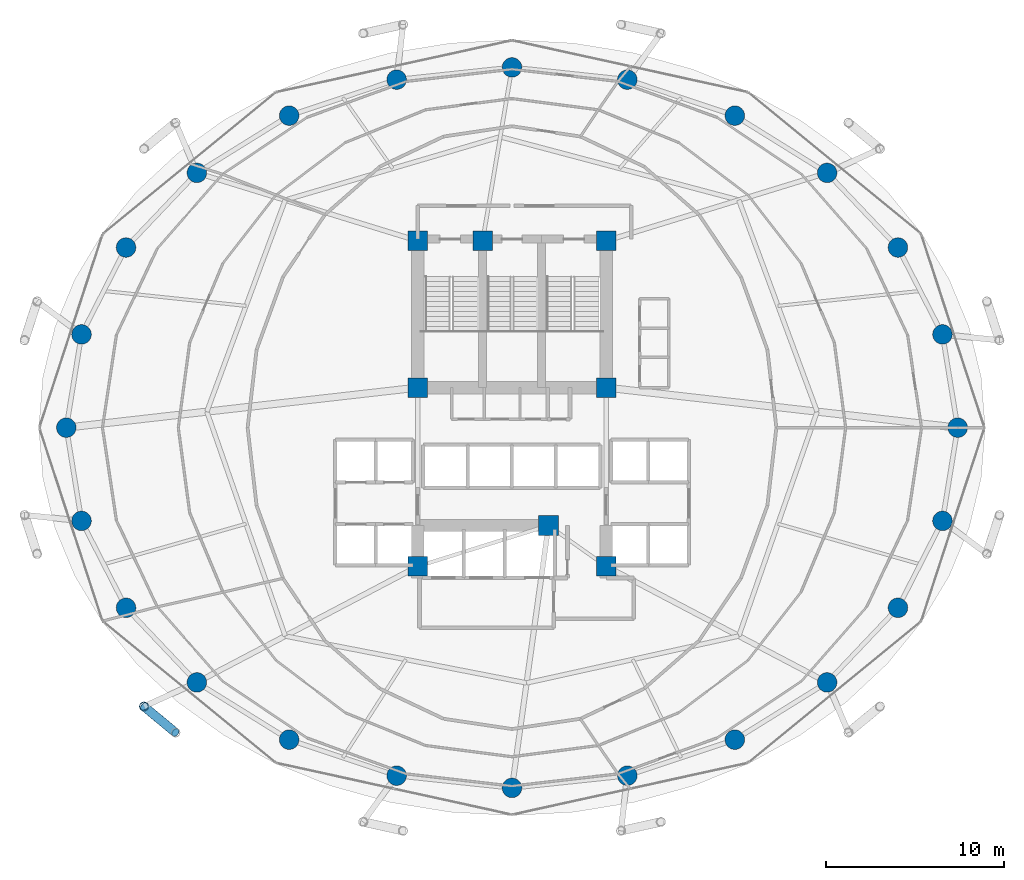
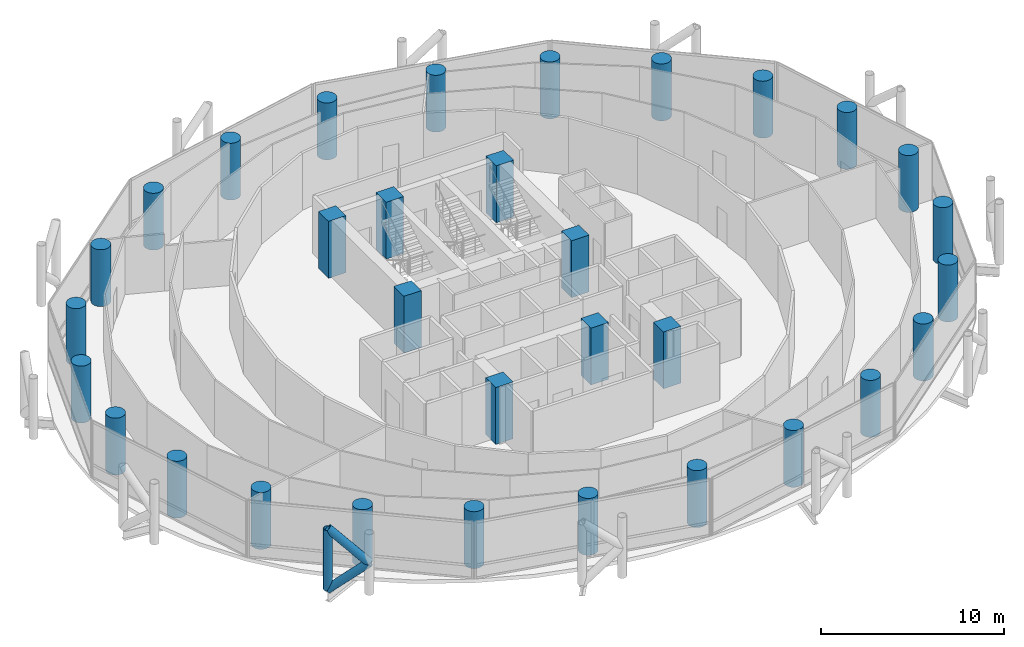
# One storey, part 1 of 26: 32 columns, 3 members.
"""IFC4 building model written with IfcOpenShell, lengths in metres."""

from ifc_helpers import new_model, si_unit, direction, frame, origin, origin_2d, place, context, subcontext, project, spatial, rectangle, circle, hollow_circle, extrude, material, material_profile, profile_set, type_object, element, save


model = new_model("IFC4")

# Units and contexts
model_context = context("Model", 3, precision=1e-05, world=origin(), true_north=direction((0.0, 1.0)))
body_context = subcontext(model_context, "Body", "Model", "MODEL_VIEW")
ifc_project = project(units=[si_unit("LENGTHUNIT", "METRE"), si_unit("AREAUNIT", "SQUARE_METRE"), si_unit("VOLUMEUNIT", "CUBIC_METRE"), si_unit("PLANEANGLEUNIT", "RADIAN"), si_unit("MASSUNIT", "GRAM", prefix="KILO")], contexts=[model_context])

# Site, building, storey
site_placement = place(None, origin())
site = spatial("IfcSite", under=ifc_project, at=site_placement, CompositionType="ELEMENT")
building_placement = place(site_placement, origin())
building = spatial("IfcBuilding", under=site, at=building_placement, Name="Nuhasar Tower", CompositionType="ELEMENT")
storey_placement = place(building_placement, frame((0.0, 0.0, 97.949951171875)))
storey = spatial("IfcBuildingStorey", under=building, at=storey_placement, Name="L23", CompositionType="ELEMENT", Elevation=97.949951171875)

# Columns
ifc_material_1 = material(Name="Concrete C80/95", Category="concrete")
ifc_material_profile_1 = material_profile(ifc_material_1, circle(Radius=0.550048828125, at=origin_2d()), Name="CFT1100")
ifc_profile_set_1 = profile_set([ifc_material_profile_1], Name="Concrete C80/95")
column_type_1 = type_object("IfcColumnType", Name="COL-CFT-1100", PredefinedType="COLUMN", material=ifc_profile_set_1)
for number, where, z_axis, x_axis, name in (
    (1, (64.050048828125, 26.800048828125, 0.0), (0.0, 0.0, 1.0), (1.0, 0.0, 0.0), "L23 Perimeter Composite Column TC-01"),
    (2, (63.196044921875, 32.041015625, 0.0), (0.0, 0.0, 1.0), (1.0, 0.0, 0.0), "L23 Perimeter Composite Column TC-02"),
    (3, (60.694091796875, 36.925048828125, 0.0), (0.0, 0.0, 1.0), (1.0, 0.0, 0.0), "L23 Perimeter Composite Column TC-03"),
    (4, (56.712890625, 41.118896484375, 0.0), (0.0, 0.0, 1.0), (1.0, 0.0, 0.0), "L23 Perimeter Composite Column TC-04"),
    (5, (51.52490234375, 44.3369140625, 0.0), (0.0, 0.0, 1.0), (1.0, 0.0, 0.0), "L23 Perimeter Composite Column TC-05"),
    (6, (45.48291015625, 46.360107421875, 0.0), (0.0, 0.0, 1.0), (1.0, 0.0, 0.0), "L23 Perimeter Composite Column TC-06"),
    (7, (39.0, 47.050048828125, 0.0), (0.0, 0.0, 1.0), (1.0, 0.0, 0.0), "L23 Perimeter Composite Column TC-07"),
    (8, (32.51708984375, 46.360107421875, 0.0), (0.0, 0.0, 1.0), (1.0, 0.0, 0.0), "L23 Perimeter Composite Column TC-08"),
    (9, (26.47509765625, 44.3369140625, 0.0), (0.0, 0.0, 1.0), (1.0, 0.0, 0.0), "L23 Perimeter Composite Column TC-09"),
    (10, (21.287109375, 41.118896484375, 0.0), (0.0, 0.0, 1.0), (1.0, 0.0, 0.0), "L23 Perimeter Composite Column TC-10"),
    (11, (17.305908203125, 36.925048828125, 0.0), (0.0, 0.0, 1.0), (1.0, 0.0, 0.0), "L23 Perimeter Composite Column TC-11"),
    (12, (14.803955078125, 32.041015625, 0.0), (0.0, 0.0, 1.0), (1.0, 0.0, 0.0), "L23 Perimeter Composite Column TC-12"),
    (13, (13.949951171875, 26.800048828125, 0.0), (0.0, 0.0, 1.0), (1.0, 0.0, 0.0), "L23 Perimeter Composite Column TC-13"),
    (14, (14.803955078125, 21.55908203125, 0.0), (0.0, 0.0, 1.0), (1.0, 0.0, 0.0), "L23 Perimeter Composite Column TC-14"),
    (15, (17.305908203125, 16.675048828125, 0.0), (0.0, 0.0, 1.0), (1.0, 0.0, 0.0), "L23 Perimeter Composite Column TC-15"),
    (16, (21.287109375, 12.48095703125, 0.0), (0.0, 0.0, 1.0), (1.0, 0.0, 0.0), "L23 Perimeter Composite Column TC-16"),
    (17, (26.47509765625, 9.262939453125, 0.0), (0.0, 0.0, 1.0), (1.0, 0.0, 0.0), "L23 Perimeter Composite Column TC-17"),
    (18, (32.51708984375, 7.239990234375, 0.0), (0.0, 0.0, 1.0), (1.0, 0.0, 0.0), "L23 Perimeter Composite Column TC-18"),
    (19, (39.0, 6.550048828125, 0.0), (0.0, 0.0, 1.0), (1.0, 0.0, 0.0), "L23 Perimeter Composite Column TC-19"),
    (20, (45.48291015625, 7.239990234375, 0.0), (0.0, 0.0, 1.0), (1.0, 0.0, 0.0), "L23 Perimeter Composite Column TC-20"),
    (21, (51.52490234375, 9.262939453125, 0.0), (0.0, 0.0, 1.0), (1.0, 0.0, 0.0), "L23 Perimeter Composite Column TC-21"),
    (22, (56.712890625, 12.48095703125, 0.0), (0.0, 0.0, 1.0), (1.0, 0.0, 0.0), "L23 Perimeter Composite Column TC-22"),
    (23, (60.694091796875, 16.675048828125, 0.0), (0.0, 0.0, 1.0), (1.0, 0.0, 0.0), "L23 Perimeter Composite Column TC-23"),
    (24, (63.196044921875, 21.55908203125, 0.0), (0.0, 0.0, 1.0), (1.0, 0.0, 0.0), "L23 Perimeter Composite Column TC-24"),
):
    element("IfcColumn", number, at=place(storey_placement, frame(where, z_axis=z_axis, x_axis=x_axis)), inside=storey, type_object=column_type_1, Name=name, PredefinedType="COLUMN", context=body_context, shape_type="SweptSolid", body=[
        extrude(circle(Radius=0.550048828125, at=origin_2d()), origin(), (0.0, 0.0, 1.0), 3.800048828125),
    ])
ifc_material_profile_2 = material_profile(ifc_material_1, rectangle(XDim=1.10009765625, YDim=1.10009765625, at=origin_2d()), Name="RC1100X1100")
ifc_profile_set_2 = profile_set([ifc_material_profile_2], Name="Concrete C80/95")
column_type_2 = type_object("IfcColumnType", Name="PIL-RC-1100", PredefinedType="PILASTER", material=ifc_profile_set_2)
for number, where, z_axis, x_axis, name in (
    (25, (33.699951171875, 19.0, 0.0), (0.0, 0.0, 1.0), (1.0, 0.0, 0.0), "L23 Core Boundary Pilaster CC-01"),
    (26, (41.050048828125, 21.300048828125, 0.0), (0.0, 0.0, 1.0), (1.0, 0.0, 0.0), "L23 Core Boundary Pilaster CC-02"),
    (27, (44.300048828125, 19.0, 0.0), (0.0, 0.0, 1.0), (1.0, 0.0, 0.0), "L23 Core Boundary Pilaster CC-03"),
    (28, (44.300048828125, 29.050048828125, 0.0), (0.0, 0.0, 1.0), (1.0, 0.0, 0.0), "L23 Core Boundary Pilaster CC-04"),
    (29, (44.300048828125, 37.300048828125, 0.0), (0.0, 0.0, 1.0), (1.0, 0.0, 0.0), "L23 Core Boundary Pilaster CC-05"),
    (30, (37.35009765625, 37.300048828125, 0.0), (0.0, 0.0, 1.0), (1.0, 0.0, 0.0), "L23 Core Boundary Pilaster CC-06"),
    (31, (33.699951171875, 37.300048828125, 0.0), (0.0, 0.0, 1.0), (1.0, 0.0, 0.0), "L23 Core Boundary Pilaster CC-07"),
    (32, (33.699951171875, 29.050048828125, 0.0), (0.0, 0.0, 1.0), (1.0, 0.0, 0.0), "L23 Core Boundary Pilaster CC-08"),
):
    element("IfcColumn", number, at=place(storey_placement, frame(where, z_axis=z_axis, x_axis=x_axis)), inside=storey, type_object=column_type_2, Name=name, PredefinedType="PILASTER", context=body_context, shape_type="SweptSolid", body=[
        extrude(rectangle(XDim=1.10009765625, YDim=1.10009765625, at=origin_2d()), origin(), (0.0, 0.0, 1.0), 3.800048828125),
    ])

# Members
ifc_material_2 = material(Name="Steel S460", Category="steel")
ifc_material_profile_3 = material_profile(ifc_material_2, hollow_circle(Radius=0.25390625, WallThickness=0.025390625, at=origin_2d()), Name="HSS508X25.4")
ifc_profile_set_3 = profile_set([ifc_material_profile_3], Name="Steel S460")
member_type = type_object("IfcMemberType", Name="EXO-BRONZE-508", PredefinedType="BRACE", material=ifc_profile_set_3)
member_1_placement = place(storey_placement, frame((18.31494140625, 11.12890625, 0.0), z_axis=(0.0, 0.0, 1.0), x_axis=(1.0, 0.0, 0.0)))
element("IfcMember", 33, at=member_1_placement, inside=storey, type_object=member_type, Name="L23 Exoskeleton Chord Column EC-08A", PredefinedType="BRACE", context=body_context, shape_type="SweptSolid", body=[
    extrude(hollow_circle(Radius=0.25390625, WallThickness=0.025390625, at=origin_2d()), origin(), (0.0, 0.0, 1.0), 4.050048828125),
])
member_2_placement = place(storey_placement, frame((18.31494140625, 11.12890625, 0.0), z_axis=(0.578071194894, -0.478911834514, 0.660664172175), x_axis=(0.637969333506, 0.770061769929, 0.0)))
element("IfcMember", 34, at=member_2_placement, inside=storey, type_object=member_type, Name="L23 Bronze Diagrid Brace W1-08", PredefinedType="BRACE", context=body_context, shape_type="SweptSolid", body=[
    extrude(hollow_circle(Radius=0.25390625, WallThickness=0.025390625, at=origin_2d()), origin(), (0.0, 0.0, 1.0), 3.0654296875),
])
member_3_placement = place(storey_placement, frame((20.0869140625, 9.660888671875, 2.025146484375), z_axis=(-0.578101613167, 0.478937034992, 0.660619286251), x_axis=(-0.637969333506, -0.770061769929, 0.0)))
element("IfcMember", 35, at=member_3_placement, inside=storey, type_object=member_type, Name="L23 Bronze Diagrid Brace W2-08", PredefinedType="BRACE", context=body_context, shape_type="SweptSolid", body=[
    extrude(hollow_circle(Radius=0.25390625, WallThickness=0.025390625, at=origin_2d()), origin(), (0.0, 0.0, 1.0), 3.065185546875),
])

save(model, "model.ifc")
